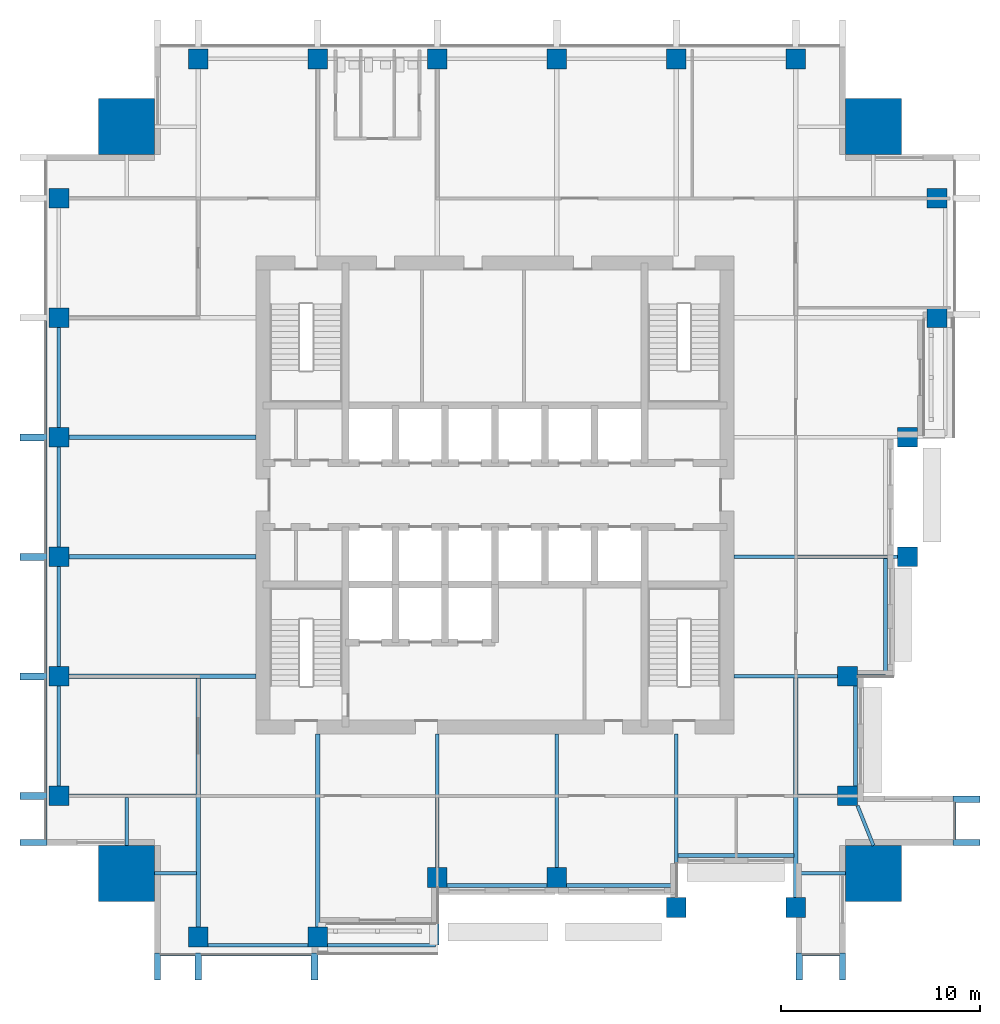
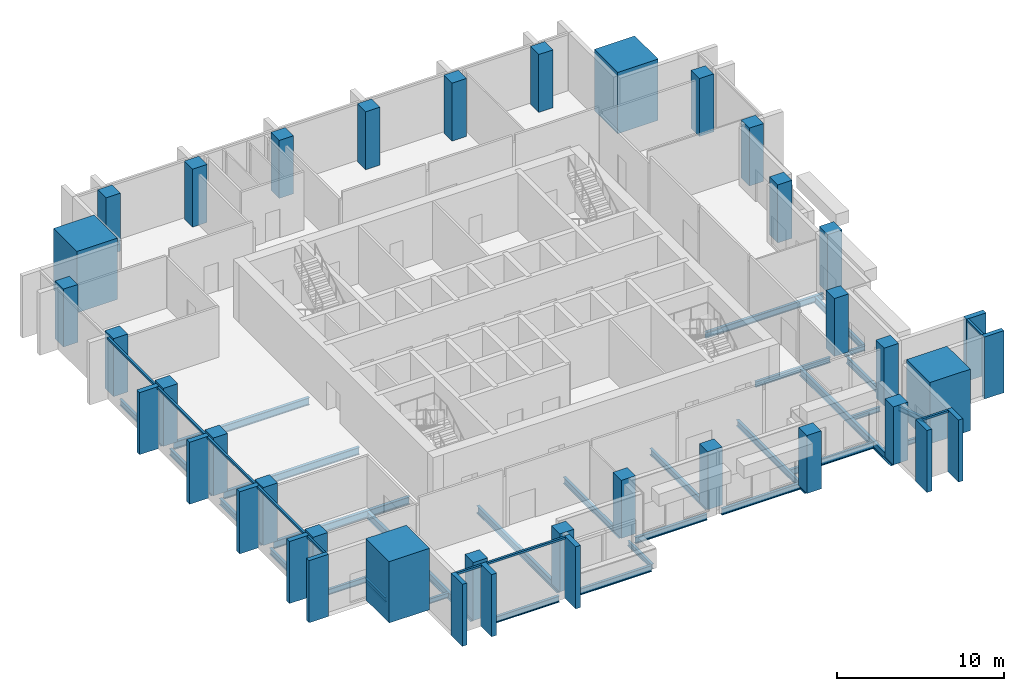
# One storey, part 1 of 11: 30 beams, 28 columns, 21 members, 4 elements without a shape of their own.
"""IFC4 building model written with IfcOpenShell, lengths in metres."""

from ifc_helpers import new_model, si_unit, direction, frame, origin, origin_2d, place, context, subcontext, project, spatial, rectangle, i_section, extrude, material, material_profile, profile_set, type_object, element, aggregate, save


model = new_model("IFC4")

# Units and contexts
model_context = context("Model", 3, precision=1e-05, world=origin(), true_north=direction((0.0, 1.0)))
body_context = subcontext(model_context, "Body", "Model", "MODEL_VIEW")
ifc_project = project(units=[si_unit("LENGTHUNIT", "METRE"), si_unit("AREAUNIT", "SQUARE_METRE"), si_unit("VOLUMEUNIT", "CUBIC_METRE"), si_unit("PLANEANGLEUNIT", "RADIAN"), si_unit("MASSUNIT", "GRAM", prefix="KILO")], contexts=[model_context])

# Site, building, storey
site_placement = place(None, origin())
site = spatial("IfcSite", under=ifc_project, at=site_placement, CompositionType="ELEMENT")
building_placement = place(site_placement, origin())
building = spatial("IfcBuilding", under=site, at=building_placement, Name="Amberfall Residences", CompositionType="ELEMENT")
storey_placement = place(building_placement, frame((0.0, 0.0, 150.39990234375)))
storey = spatial("IfcBuildingStorey", under=building, at=storey_placement, Name="L40", CompositionType="ELEMENT", Elevation=150.39990234375)

# Columns
ifc_material_1 = material(Name="Concrete C60", Category="concrete")
ifc_material_profile_1 = material_profile(ifc_material_1, rectangle(XDim=1.0, YDim=1.0, at=origin_2d()), Name="Column 1000 x 1000 C60")
ifc_profile_set_1 = profile_set([ifc_material_profile_1], Name="Concrete C60")
column_type_1 = type_object("IfcColumnType", Name="Column 1000 x 1000 C60", PredefinedType="COLUMN", material=ifc_profile_set_1)
for number, where, z_axis, x_axis, name in (
    (1, (59.60009765625, 23.300048828125, 0.0), (0.0, 0.0, 1.0), (1.0, 0.0, 0.0), "Column C3 L40 S1"),
    (2, (65.60009765625, 23.300048828125, 0.0), (0.0, 0.0, 1.0), (1.0, 0.0, 0.0), "Column C3 L40 S2"),
    (3, (71.60009765625, 26.300048828125, 0.0), (0.0, 0.0, 1.0), (1.0, 0.0, 0.0), "Column C3 L40 S3"),
    (4, (77.60009765625, 26.300048828125, 0.0), (0.0, 0.0, 1.0), (1.0, 0.0, 0.0), "Column C3 L40 S4"),
    (5, (83.60009765625, 24.800048828125, 0.0), (0.0, 0.0, 1.0), (1.0, 0.0, 0.0), "Column C3 L40 S5"),
    (6, (89.60009765625, 24.800048828125, 0.0), (0.0, 0.0, 1.0), (1.0, 0.0, 0.0), "Column C3 L40 S6"),
    (7, (92.199951171875, 30.39990234375, 0.0), (0.0, 0.0, 1.0), (1.0, 0.0, 0.0), "Column C3 L40 E1"),
    (8, (92.199951171875, 36.39990234375, 0.0), (0.0, 0.0, 1.0), (1.0, 0.0, 0.0), "Column C3 L40 E2"),
    (9, (95.199951171875, 42.39990234375, 0.0), (0.0, 0.0, 1.0), (1.0, 0.0, 0.0), "Column C3 L40 E3"),
    (10, (95.199951171875, 48.39990234375, 0.0), (0.0, 0.0, 1.0), (1.0, 0.0, 0.0), "Column C3 L40 E4"),
    (11, (96.699951171875, 54.39990234375, 0.0), (0.0, 0.0, 1.0), (1.0, 0.0, 0.0), "Column C3 L40 E5"),
    (12, (96.699951171875, 60.39990234375, 0.0), (0.0, 0.0, 1.0), (1.0, 0.0, 0.0), "Column C3 L40 E6"),
    (13, (59.60009765625, 67.39990234375, 0.0), (0.0, 0.0, 1.0), (1.0, 0.0, 0.0), "Column C3 L40 N1"),
    (14, (65.60009765625, 67.39990234375, 0.0), (0.0, 0.0, 1.0), (1.0, 0.0, 0.0), "Column C3 L40 N2"),
    (15, (71.60009765625, 67.39990234375, 0.0), (0.0, 0.0, 1.0), (1.0, 0.0, 0.0), "Column C3 L40 N3"),
    (16, (77.60009765625, 67.39990234375, 0.0), (0.0, 0.0, 1.0), (1.0, 0.0, 0.0), "Column C3 L40 N4"),
    (17, (83.60009765625, 67.39990234375, 0.0), (0.0, 0.0, 1.0), (1.0, 0.0, 0.0), "Column C3 L40 N5"),
    (18, (89.60009765625, 67.39990234375, 0.0), (0.0, 0.0, 1.0), (1.0, 0.0, 0.0), "Column C3 L40 N6"),
    (19, (52.60009765625, 30.39990234375, 0.0), (0.0, 0.0, 1.0), (1.0, 0.0, 0.0), "Column C3 L40 W1"),
    (20, (52.60009765625, 36.39990234375, 0.0), (0.0, 0.0, 1.0), (1.0, 0.0, 0.0), "Column C3 L40 W2"),
    (21, (52.60009765625, 42.39990234375, 0.0), (0.0, 0.0, 1.0), (1.0, 0.0, 0.0), "Column C3 L40 W3"),
    (22, (52.60009765625, 48.39990234375, 0.0), (0.0, 0.0, 1.0), (1.0, 0.0, 0.0), "Column C3 L40 W4"),
    (23, (52.60009765625, 54.39990234375, 0.0), (0.0, 0.0, 1.0), (1.0, 0.0, 0.0), "Column C3 L40 W5"),
    (24, (52.60009765625, 60.39990234375, 0.0), (0.0, 0.0, 1.0), (1.0, 0.0, 0.0), "Column C3 L40 W6"),
):
    element("IfcColumn", number, at=place(storey_placement, frame(where, z_axis=z_axis, x_axis=x_axis)), inside=storey, type_object=column_type_1, Name=name, PredefinedType="COLUMN", context=body_context, shape_type="SweptSolid", body=[
        extrude(rectangle(XDim=1.0, YDim=1.0, at=origin_2d()), origin(), (0.0, 0.0, 1.0), 4.25),
    ])
ifc_material_profile_2 = material_profile(ifc_material_1, rectangle(XDim=2.800048828125, YDim=2.800048828125, at=origin_2d()), Name="Mega column 2800 x 2800 C60")
ifc_profile_set_2 = profile_set([ifc_material_profile_2], Name="Concrete C60")
column_type_2 = type_object("IfcColumnType", Name="Mega column 2800 x 2800 C60", PredefinedType="COLUMN", material=ifc_profile_set_2)
for number, where, z_axis, x_axis, name in (
    (25, (56.0, 26.5, 0.0), (0.0, 0.0, 1.0), (1.0, 0.0, 0.0), "Mega column MC5 L40 SW"),
    (26, (93.5, 26.5, 0.0), (0.0, 0.0, 1.0), (1.0, 0.0, 0.0), "Mega column MC5 L40 SE"),
    (27, (93.5, 64.0, 0.0), (0.0, 0.0, 1.0), (1.0, 0.0, 0.0), "Mega column MC5 L40 NE"),
    (28, (56.0, 64.0, 0.0), (0.0, 0.0, 1.0), (1.0, 0.0, 0.0), "Mega column MC5 L40 NW"),
):
    element("IfcColumn", number, at=place(storey_placement, frame(where, z_axis=z_axis, x_axis=x_axis)), inside=storey, type_object=column_type_2, Name=name, PredefinedType="COLUMN", context=body_context, shape_type="SweptSolid", body=[
        extrude(rectangle(XDim=2.800048828125, YDim=2.800048828125, at=origin_2d()), origin(), (0.0, 0.0, 1.0), 4.5),
    ])

# Curtain wall, members
ifc_material_2 = material(Name="Bronze anodised aluminium and glass", Category="aluminium")
curtain_wall_type = type_object("IfcCurtainWallType", Name="Curtain wall CW1 tower unit", PredefinedType="USERDEFINED", material=ifc_material_2)
curtain_wall_1_placement = place(storey_placement, origin())
curtain_wall_1 = element("IfcCurtainWall", 29, at=curtain_wall_1_placement, inside=storey, type_object=curtain_wall_type, Name="Curtain wall L40 S S1", ObjectType="UNITISED CURTAIN WALL", PredefinedType="USERDEFINED")
ifc_material_3 = material(Name="Bronze anodised aluminium", Category="aluminium")
ifc_material_profile_3 = material_profile(ifc_material_3, rectangle(XDim=0.14990234375, YDim=0.14990234375, at=origin_2d()), Name="CW1 transom 150 x 150 bronze")
ifc_profile_set_3 = profile_set([ifc_material_profile_3], Name="Bronze anodised aluminium")
member_type_1 = type_object("IfcMemberType", Name="CW1 transom 150 x 150 bronze", PredefinedType="USERDEFINED", material=ifc_profile_set_3)
member_1_placement = place(storey_placement, frame((57.699951171875, 22.425048828125, 4.175048828125), z_axis=(1.0, 0.0, 0.0), x_axis=(0.0, 1.0, 0.0)))
member_1 = element("IfcMember", 30, at=member_1_placement, type_object=member_type_1, Name="CW1 transom 1.1", ObjectType="TRANSOM", PredefinedType="USERDEFINED", context=body_context, shape_type="SweptSolid", body=[
    extrude(rectangle(XDim=0.14990234375, YDim=0.14990234375, at=origin_2d()), origin(), (0.0, 0.0, 1.0), 1.72509765625),
])
member_2_placement = place(storey_placement, frame((59.77490234375, 22.425048828125, 4.175048828125), z_axis=(1.0, 0.0, 0.0), x_axis=(0.0, 1.0, 0.0)))
member_2 = element("IfcMember", 31, at=member_2_placement, type_object=member_type_1, Name="CW1 transom 2.1", ObjectType="TRANSOM", PredefinedType="USERDEFINED", context=body_context, shape_type="SweptSolid", body=[
    extrude(rectangle(XDim=0.14990234375, YDim=0.14990234375, at=origin_2d()), origin(), (0.0, 0.0, 1.0), 5.47509765625),
])

# Curtain wall, member
curtain_wall_2_placement = place(storey_placement, origin())
curtain_wall_2 = element("IfcCurtainWall", 32, at=curtain_wall_2_placement, inside=storey, type_object=curtain_wall_type, Name="Curtain wall L40 S S8", ObjectType="UNITISED CURTAIN WALL", PredefinedType="USERDEFINED")
member_3_placement = place(storey_placement, frame((89.949951171875, 22.425048828125, 4.175048828125), z_axis=(1.0, 0.0, 0.0), x_axis=(0.0, 1.0, 0.0)))
member_3 = element("IfcMember", 33, at=member_3_placement, type_object=member_type_1, Name="CW1 transom 1.1", ObjectType="TRANSOM", PredefinedType="USERDEFINED", context=body_context, shape_type="SweptSolid", body=[
    extrude(rectangle(XDim=0.14990234375, YDim=0.14990234375, at=origin_2d()), origin(), (0.0, 0.0, 1.0), 1.85009765625),
])

curtain_wall_3_placement = place(storey_placement, origin())
curtain_wall_3 = element("IfcCurtainWall", 34, at=curtain_wall_3_placement, inside=storey, type_object=curtain_wall_type, Name="Curtain wall L40 E E3", ObjectType="UNITISED CURTAIN WALL", PredefinedType="USERDEFINED")
member_4_placement = place(storey_placement, frame((97.574951171875, 28.199951171875, 4.175048828125), z_axis=(0.0, 1.0, 0.0), x_axis=(-1.0, 0.0, 0.0)))
member_4 = element("IfcMember", 35, at=member_4_placement, type_object=member_type_1, Name="CW1 transom 1.1", ObjectType="TRANSOM", PredefinedType="USERDEFINED", context=body_context, shape_type="SweptSolid", body=[
    extrude(rectangle(XDim=0.14990234375, YDim=0.14990234375, at=origin_2d()), origin(), (0.0, 0.0, 1.0), 1.85009765625),
])

# Curtain wall, members
curtain_wall_4_placement = place(storey_placement, origin())
curtain_wall_4 = element("IfcCurtainWall", 36, at=curtain_wall_4_placement, inside=storey, type_object=curtain_wall_type, Name="Curtain wall L40 W W1", ObjectType="UNITISED CURTAIN WALL", PredefinedType="USERDEFINED")
member_5_placement = place(storey_placement, frame((51.925048828125, 54.22509765625, 4.175048828125), z_axis=(0.0, -1.0, 0.0), x_axis=(1.0, 0.0, 0.0)))
member_5 = element("IfcMember", 37, at=member_5_placement, type_object=member_type_1, Name="CW1 transom 3.1", ObjectType="TRANSOM", PredefinedType="USERDEFINED", context=body_context, shape_type="SweptSolid", body=[
    extrude(rectangle(XDim=0.14990234375, YDim=0.14990234375, at=origin_2d()), origin(), (0.0, 0.0, 1.0), 5.650146484375),
])
member_6_placement = place(storey_placement, frame((51.925048828125, 48.22509765625, 4.175048828125), z_axis=(0.0, -1.0, 0.0), x_axis=(1.0, 0.0, 0.0)))
member_6 = element("IfcMember", 38, at=member_6_placement, type_object=member_type_1, Name="CW1 transom 4.1", ObjectType="TRANSOM", PredefinedType="USERDEFINED", context=body_context, shape_type="SweptSolid", body=[
    extrude(rectangle(XDim=0.14990234375, YDim=0.14990234375, at=origin_2d()), origin(), (0.0, 0.0, 1.0), 5.650146484375),
])
member_7_placement = place(storey_placement, frame((51.925048828125, 42.22509765625, 4.175048828125), z_axis=(0.0, -1.0, 0.0), x_axis=(1.0, 0.0, 0.0)))
member_7 = element("IfcMember", 39, at=member_7_placement, type_object=member_type_1, Name="CW1 transom 5.1", ObjectType="TRANSOM", PredefinedType="USERDEFINED", context=body_context, shape_type="SweptSolid", body=[
    extrude(rectangle(XDim=0.14990234375, YDim=0.14990234375, at=origin_2d()), origin(), (0.0, 0.0, 1.0), 5.650146484375),
])
member_8_placement = place(storey_placement, frame((51.925048828125, 36.22509765625, 4.175048828125), z_axis=(0.0, -1.0, 0.0), x_axis=(1.0, 0.0, 0.0)))
member_8 = element("IfcMember", 40, at=member_8_placement, type_object=member_type_1, Name="CW1 transom 6.1", ObjectType="TRANSOM", PredefinedType="USERDEFINED", context=body_context, shape_type="SweptSolid", body=[
    extrude(rectangle(XDim=0.14990234375, YDim=0.14990234375, at=origin_2d()), origin(), (0.0, 0.0, 1.0), 5.650146484375),
])
member_9_placement = place(storey_placement, frame((51.925048828125, 30.22509765625, 4.175048828125), z_axis=(0.0, -1.0, 0.0), x_axis=(1.0, 0.0, 0.0)))
member_9 = element("IfcMember", 41, at=member_9_placement, type_object=member_type_1, Name="CW1 transom 7.1", ObjectType="TRANSOM", PredefinedType="USERDEFINED", context=body_context, shape_type="SweptSolid", body=[
    extrude(rectangle(XDim=0.14990234375, YDim=0.14990234375, at=origin_2d()), origin(), (0.0, 0.0, 1.0), 2.025146484375),
])

# Beams
ifc_material_4 = material(Name="Steel S355", Category="steel")
ifc_material_profile_4 = material_profile(ifc_material_4, i_section(OverallWidth=0.171142578125, OverallDepth=0.351318359375, WebThickness=0.007080078125, FlangeThickness=0.009765625, FilletRadius=0.01025390625, at=origin_2d()), Name="UB 356x171x45")
ifc_profile_set_4 = profile_set([ifc_material_profile_4], Name="Steel S355")
beam_type_1 = type_object("IfcBeamType", Name="Cantilever girder UB 356x171x45", PredefinedType="BEAM", material=ifc_profile_set_4)
beam_1_placement = place(storey_placement, frame((71.60009765625, 25.800048828125, -0.4755859375), z_axis=(0.0, -1.0, 0.0), x_axis=(1.0, 0.0, 0.0)))
element("IfcBeam", 42, at=beam_1_placement, inside=storey, type_object=beam_type_1, Name="Cantilever girder B8 L40 06", PredefinedType="BEAM", context=body_context, shape_type="SweptSolid", body=[
    extrude(i_section(OverallWidth=0.171142578125, OverallDepth=0.351318359375, WebThickness=0.007080078125, FlangeThickness=0.009765625, FilletRadius=0.01025390625, at=origin_2d()), origin(), (0.0, 0.0, 1.0), 2.900146484375),
])
beam_2_placement = place(storey_placement, frame((92.699951171875, 36.39990234375, -0.4755859375), z_axis=(1.0, 0.0, 0.0), x_axis=(0.0, 1.0, 0.0)))
element("IfcBeam", 43, at=beam_2_placement, inside=storey, type_object=beam_type_1, Name="Cantilever girder B8 L40 18", PredefinedType="BEAM", context=body_context, shape_type="SweptSolid", body=[
    extrude(i_section(OverallWidth=0.171142578125, OverallDepth=0.351318359375, WebThickness=0.007080078125, FlangeThickness=0.009765625, FilletRadius=0.01025390625, at=origin_2d()), origin(), (0.0, 0.0, 1.0), 1.400146484375),
])

# Member
ifc_material_profile_5 = material_profile(ifc_material_3, rectangle(XDim=1.35009765625, YDim=0.300048828125, at=origin_2d()), Name="Corner fin 300 x 1350 bronze")
ifc_profile_set_5 = profile_set([ifc_material_profile_5], Name="Bronze anodised aluminium")
member_type_2 = type_object("IfcMemberType", Name="Corner fin 300 x 1350 bronze", PredefinedType="MULLION", material=ifc_profile_set_5)
member_10_placement = place(storey_placement, frame((57.550048828125, 21.824951171875, -0.2998046875), z_axis=(0.0, 0.0, 1.0), x_axis=(0.0, 1.0, 0.0)))
member_10 = element("IfcMember", 44, at=member_10_placement, type_object=member_type_2, Name="CW FIN 1", PredefinedType="MULLION", context=body_context, shape_type="SweptSolid", body=[
    extrude(rectangle(XDim=1.35009765625, YDim=0.300048828125, at=origin_2d()), origin(), (0.0, 0.0, 1.0), 4.5498046875),
])

member_11_placement = place(storey_placement, frame((91.949951171875, 21.824951171875, -0.2998046875), z_axis=(0.0, 0.0, 1.0), x_axis=(0.0, 1.0, 0.0)))
member_11 = element("IfcMember", 45, at=member_11_placement, type_object=member_type_2, Name="CW FIN 2", PredefinedType="MULLION", context=body_context, shape_type="SweptSolid", body=[
    extrude(rectangle(XDim=1.35009765625, YDim=0.300048828125, at=origin_2d()), origin(), (0.0, 0.0, 1.0), 4.5498046875),
])

member_12_placement = place(storey_placement, frame((98.175048828125, 28.050048828125, -0.2998046875), z_axis=(0.0, 0.0, 1.0), x_axis=(-1.0, 0.0, 0.0)))
member_12 = element("IfcMember", 46, at=member_12_placement, type_object=member_type_2, Name="CW FIN 1", PredefinedType="MULLION", context=body_context, shape_type="SweptSolid", body=[
    extrude(rectangle(XDim=1.35009765625, YDim=0.300048828125, at=origin_2d()), origin(), (0.0, 0.0, 1.0), 4.5498046875),
])

member_13_placement = place(storey_placement, frame((51.324951171875, 28.050048828125, -0.2998046875), z_axis=(0.0, 0.0, 1.0), x_axis=(1.0, 0.0, 0.0)))
member_13 = element("IfcMember", 47, at=member_13_placement, type_object=member_type_2, Name="CW FIN 8", PredefinedType="MULLION", context=body_context, shape_type="SweptSolid", body=[
    extrude(rectangle(XDim=1.35009765625, YDim=0.300048828125, at=origin_2d()), origin(), (0.0, 0.0, 1.0), 4.5498046875),
])

# Beams
ifc_material_profile_6 = material_profile(ifc_material_4, i_section(OverallWidth=0.18994140625, OverallDepth=0.453369140625, WebThickness=0.008544921875, FlangeThickness=0.0126953125, FilletRadius=0.01025390625, at=origin_2d()), Name="UB 457x191x67")
ifc_profile_set_6 = profile_set([ifc_material_profile_6], Name="Steel S355")
beam_type_2 = type_object("IfcBeamType", Name="Edge beam UB 457x191x67", PredefinedType="SPANDREL", material=ifc_profile_set_6)
beam_3_placement = place(storey_placement, frame((60.10009765625, 22.89990234375, -0.526611328125), z_axis=(1.0, 0.0, 0.0), x_axis=(0.0, 1.0, 0.0)))
element("IfcBeam", 48, at=beam_3_placement, inside=storey, type_object=beam_type_2, Name="Edge beam B1 L40 01", PredefinedType="SPANDREL", context=body_context, shape_type="SweptSolid", body=[
    extrude(i_section(OverallWidth=0.18994140625, OverallDepth=0.453369140625, WebThickness=0.008544921875, FlangeThickness=0.0126953125, FilletRadius=0.01025390625, at=origin_2d()), origin(), (0.0, 0.0, 1.0), 5.0),
])
beam_4_placement = place(storey_placement, frame((66.10009765625, 22.89990234375, -0.526611328125), z_axis=(1.0, 0.0, 0.0), x_axis=(0.0, 1.0, 0.0)))
element("IfcBeam", 49, at=beam_4_placement, inside=storey, type_object=beam_type_2, Name="Edge beam B1 L40 02", PredefinedType="SPANDREL", context=body_context, shape_type="SweptSolid", body=[
    extrude(i_section(OverallWidth=0.18994140625, OverallDepth=0.453369140625, WebThickness=0.008544921875, FlangeThickness=0.0126953125, FilletRadius=0.01025390625, at=origin_2d()), origin(), (0.0, 0.0, 1.0), 5.419921875),
])
beam_5_placement = place(storey_placement, frame((72.10009765625, 25.89990234375, -0.526611328125), z_axis=(1.0, 0.0, 0.0), x_axis=(0.0, 1.0, 0.0)))
element("IfcBeam", 50, at=beam_5_placement, inside=storey, type_object=beam_type_2, Name="Edge beam B1 L40 03", PredefinedType="SPANDREL", context=body_context, shape_type="SweptSolid", body=[
    extrude(i_section(OverallWidth=0.18994140625, OverallDepth=0.453369140625, WebThickness=0.008544921875, FlangeThickness=0.0126953125, FilletRadius=0.01025390625, at=origin_2d()), origin(), (0.0, 0.0, 1.0), 5.0),
])
beam_6_placement = place(storey_placement, frame((78.10009765625, 25.89990234375, -0.526611328125), z_axis=(1.0, 0.0, 0.0), x_axis=(0.0, 1.0, 0.0)))
element("IfcBeam", 51, at=beam_6_placement, inside=storey, type_object=beam_type_2, Name="Edge beam B1 L40 04", PredefinedType="SPANDREL", context=body_context, shape_type="SweptSolid", body=[
    extrude(i_section(OverallWidth=0.18994140625, OverallDepth=0.453369140625, WebThickness=0.008544921875, FlangeThickness=0.0126953125, FilletRadius=0.01025390625, at=origin_2d()), origin(), (0.0, 0.0, 1.0), 5.419921875),
])
beam_7_placement = place(storey_placement, frame((83.679931640625, 27.39990234375, -0.526611328125), z_axis=(1.0, 0.0, 0.0), x_axis=(0.0, 1.0, 0.0)))
element("IfcBeam", 52, at=beam_7_placement, inside=storey, type_object=beam_type_2, Name="Edge beam B1 L40 05", PredefinedType="SPANDREL", context=body_context, shape_type="SweptSolid", body=[
    extrude(i_section(OverallWidth=0.18994140625, OverallDepth=0.453369140625, WebThickness=0.008544921875, FlangeThickness=0.0126953125, FilletRadius=0.01025390625, at=origin_2d()), origin(), (0.0, 0.0, 1.0), 5.840087890625),
])
beam_8_placement = place(storey_placement, frame((92.60009765625, 30.89990234375, -0.526611328125), z_axis=(0.0, 1.0, 0.0), x_axis=(-1.0, 0.0, 0.0)))
element("IfcBeam", 53, at=beam_8_placement, inside=storey, type_object=beam_type_2, Name="Edge beam B1 L40 13", PredefinedType="SPANDREL", context=body_context, shape_type="SweptSolid", body=[
    extrude(i_section(OverallWidth=0.18994140625, OverallDepth=0.453369140625, WebThickness=0.008544921875, FlangeThickness=0.0126953125, FilletRadius=0.01025390625, at=origin_2d()), origin(), (0.0, 0.0, 1.0), 5.0),
])
beam_9_placement = place(storey_placement, frame((94.10009765625, 36.47998046875, -0.526611328125), z_axis=(0.0, 1.0, 0.0), x_axis=(-1.0, 0.0, 0.0)))
element("IfcBeam", 54, at=beam_9_placement, inside=storey, type_object=beam_type_2, Name="Edge beam B1 L40 14", PredefinedType="SPANDREL", context=body_context, shape_type="SweptSolid", body=[
    extrude(i_section(OverallWidth=0.18994140625, OverallDepth=0.453369140625, WebThickness=0.008544921875, FlangeThickness=0.0126953125, FilletRadius=0.01025390625, at=origin_2d()), origin(), (0.0, 0.0, 1.0), 5.840087890625),
])
for number, where, z_axis, x_axis, name in (
    (55, (52.60009765625, 30.89990234375, -0.526611328125), (0.0, 1.0, 0.0), (-1.0, 0.0, 0.0), "Edge beam B1 L40 37"),
    (56, (52.60009765625, 36.89990234375, -0.526611328125), (0.0, 1.0, 0.0), (-1.0, 0.0, 0.0), "Edge beam B1 L40 38"),
    (57, (52.60009765625, 42.89990234375, -0.526611328125), (0.0, 1.0, 0.0), (-1.0, 0.0, 0.0), "Edge beam B1 L40 39"),
    (58, (52.60009765625, 48.89990234375, -0.526611328125), (0.0, 1.0, 0.0), (-1.0, 0.0, 0.0), "Edge beam B1 L40 40"),
):
    element("IfcBeam", number, at=place(storey_placement, frame(where, z_axis=z_axis, x_axis=x_axis)), inside=storey, type_object=beam_type_2, Name=name, PredefinedType="SPANDREL", context=body_context, shape_type="SweptSolid", body=[
        extrude(i_section(OverallWidth=0.18994140625, OverallDepth=0.453369140625, WebThickness=0.008544921875, FlangeThickness=0.0126953125, FilletRadius=0.01025390625, at=origin_2d()), origin(), (0.0, 0.0, 1.0), 5.0),
    ])

# Member
ifc_material_profile_7 = material_profile(ifc_material_3, rectangle(XDim=1.35009765625, YDim=0.35009765625, at=origin_2d()), Name="Fin 350 x 1350 bronze")
ifc_profile_set_7 = profile_set([ifc_material_profile_7], Name="Bronze anodised aluminium")
member_type_3 = type_object("IfcMemberType", Name="Fin 350 x 1350 bronze", PredefinedType="MULLION", material=ifc_profile_set_7)
member_14_placement = place(storey_placement, frame((59.60009765625, 21.824951171875, -0.2998046875), z_axis=(0.0, 0.0, 1.0), x_axis=(0.0, 1.0, 0.0)))
member_14 = element("IfcMember", 59, at=member_14_placement, type_object=member_type_3, Name="CW FIN 2", PredefinedType="MULLION", context=body_context, shape_type="SweptSolid", body=[
    extrude(rectangle(XDim=1.35009765625, YDim=0.35009765625, at=origin_2d()), origin(), (0.0, 0.0, 1.0), 4.5498046875),
])

member_15_placement = place(storey_placement, frame((65.425048828125, 21.824951171875, -0.2998046875), z_axis=(0.0, 0.0, 1.0), x_axis=(0.0, 1.0, 0.0)))
member_15 = element("IfcMember", 60, at=member_15_placement, type_object=member_type_3, Name="CW FIN 3", PredefinedType="MULLION", context=body_context, shape_type="SweptSolid", body=[
    extrude(rectangle(XDim=1.35009765625, YDim=0.35009765625, at=origin_2d()), origin(), (0.0, 0.0, 1.0), 4.5498046875),
])

aggregate(curtain_wall_1, [member_10, member_14, member_15, member_1, member_2])

member_16_placement = place(storey_placement, frame((89.77490234375, 21.824951171875, -0.2998046875), z_axis=(0.0, 0.0, 1.0), x_axis=(0.0, 1.0, 0.0)))
member_16 = element("IfcMember", 61, at=member_16_placement, type_object=member_type_3, Name="CW FIN 1", PredefinedType="MULLION", context=body_context, shape_type="SweptSolid", body=[
    extrude(rectangle(XDim=1.35009765625, YDim=0.35009765625, at=origin_2d()), origin(), (0.0, 0.0, 1.0), 4.5498046875),
])

aggregate(curtain_wall_2, [member_16, member_11, member_3])

member_17_placement = place(storey_placement, frame((98.175048828125, 30.22509765625, -0.2998046875), z_axis=(0.0, 0.0, 1.0), x_axis=(-1.0, 0.0, 0.0)))
member_17 = element("IfcMember", 62, at=member_17_placement, type_object=member_type_3, Name="CW FIN 2", PredefinedType="MULLION", context=body_context, shape_type="SweptSolid", body=[
    extrude(rectangle(XDim=1.35009765625, YDim=0.35009765625, at=origin_2d()), origin(), (0.0, 0.0, 1.0), 4.5498046875),
])

aggregate(curtain_wall_3, [member_12, member_17, member_4])

member_18_placement = place(storey_placement, frame((51.324951171875, 48.39990234375, -0.2998046875), z_axis=(0.0, 0.0, 1.0), x_axis=(1.0, 0.0, 0.0)))
member_18 = element("IfcMember", 63, at=member_18_placement, type_object=member_type_3, Name="CW FIN 4", PredefinedType="MULLION", context=body_context, shape_type="SweptSolid", body=[
    extrude(rectangle(XDim=1.35009765625, YDim=0.35009765625, at=origin_2d()), origin(), (0.0, 0.0, 1.0), 4.5498046875),
])

member_19_placement = place(storey_placement, frame((51.324951171875, 42.39990234375, -0.2998046875), z_axis=(0.0, 0.0, 1.0), x_axis=(1.0, 0.0, 0.0)))
member_19 = element("IfcMember", 64, at=member_19_placement, type_object=member_type_3, Name="CW FIN 5", PredefinedType="MULLION", context=body_context, shape_type="SweptSolid", body=[
    extrude(rectangle(XDim=1.35009765625, YDim=0.35009765625, at=origin_2d()), origin(), (0.0, 0.0, 1.0), 4.5498046875),
])

member_20_placement = place(storey_placement, frame((51.324951171875, 36.39990234375, -0.2998046875), z_axis=(0.0, 0.0, 1.0), x_axis=(1.0, 0.0, 0.0)))
member_20 = element("IfcMember", 65, at=member_20_placement, type_object=member_type_3, Name="CW FIN 6", PredefinedType="MULLION", context=body_context, shape_type="SweptSolid", body=[
    extrude(rectangle(XDim=1.35009765625, YDim=0.35009765625, at=origin_2d()), origin(), (0.0, 0.0, 1.0), 4.5498046875),
])

member_21_placement = place(storey_placement, frame((51.324951171875, 30.39990234375, -0.2998046875), z_axis=(0.0, 0.0, 1.0), x_axis=(1.0, 0.0, 0.0)))
member_21 = element("IfcMember", 66, at=member_21_placement, type_object=member_type_3, Name="CW FIN 7", PredefinedType="MULLION", context=body_context, shape_type="SweptSolid", body=[
    extrude(rectangle(XDim=1.35009765625, YDim=0.35009765625, at=origin_2d()), origin(), (0.0, 0.0, 1.0), 4.5498046875),
])

aggregate(curtain_wall_4, [member_18, member_19, member_20, member_21, member_13, member_5, member_6, member_7, member_8, member_9])

# Beams
ifc_material_profile_8 = material_profile(ifc_material_4, i_section(OverallWidth=0.171142578125, OverallDepth=0.351318359375, WebThickness=0.007080078125, FlangeThickness=0.009765625, FilletRadius=0.01025390625, at=origin_2d()), Name="UB 356x171x45")
ifc_profile_set_8 = profile_set([ifc_material_profile_8], Name="Steel S355")
beam_type_3 = type_object("IfcBeamType", Name="Floor girder UB 356x171x45", PredefinedType="BEAM", material=ifc_profile_set_8)
beam_10_placement = place(storey_placement, frame((91.699951171875, 30.39990234375, -0.4755859375), z_axis=(-1.0, 0.0, 0.0), x_axis=(0.0, -1.0, 0.0)))
element("IfcBeam", 67, at=beam_10_placement, inside=storey, type_object=beam_type_3, Name="Floor girder B11 L40 20", PredefinedType="BEAM", context=body_context, shape_type="SweptSolid", body=[
    extrude(i_section(OverallWidth=0.171142578125, OverallDepth=0.351318359375, WebThickness=0.007080078125, FlangeThickness=0.009765625, FilletRadius=0.01025390625, at=origin_2d()), origin(), (0.0, 0.0, 1.0), 1.97998046875),
])
ifc_material_profile_9 = material_profile(ifc_material_4, i_section(OverallWidth=0.177734375, OverallDepth=0.402587890625, WebThickness=0.0078125, FlangeThickness=0.010986328125, FilletRadius=0.01025390625, at=origin_2d()), Name="UB 406x178x54")
ifc_profile_set_9 = profile_set([ifc_material_profile_9], Name="Steel S355")
beam_type_4 = type_object("IfcBeamType", Name="Floor girder UB 406x178x54", PredefinedType="BEAM", material=ifc_profile_set_9)
beam_11_placement = place(storey_placement, frame((91.699951171875, 36.39990234375, -0.501220703125), z_axis=(-1.0, 0.0, 0.0), x_axis=(0.0, -1.0, 0.0)))
element("IfcBeam", 68, at=beam_11_placement, inside=storey, type_object=beam_type_4, Name="Floor girder B4 L40 21", PredefinedType="BEAM", context=body_context, shape_type="SweptSolid", body=[
    extrude(i_section(OverallWidth=0.177734375, OverallDepth=0.402587890625, WebThickness=0.0078125, FlangeThickness=0.010986328125, FilletRadius=0.01025390625, at=origin_2d()), origin(), (0.0, 0.0, 1.0), 5.199951171875),
])
beam_12_placement = place(storey_placement, frame((53.10009765625, 30.39990234375, -0.501220703125), z_axis=(1.0, 0.0, 0.0), x_axis=(0.0, 1.0, 0.0)))
element("IfcBeam", 69, at=beam_12_placement, inside=storey, type_object=beam_type_4, Name="Floor girder B4 L40 42", PredefinedType="BEAM", context=body_context, shape_type="SweptSolid", body=[
    extrude(i_section(OverallWidth=0.177734375, OverallDepth=0.402587890625, WebThickness=0.0078125, FlangeThickness=0.010986328125, FilletRadius=0.01025390625, at=origin_2d()), origin(), (0.0, 0.0, 1.0), 6.3798828125),
])
ifc_material_profile_10 = material_profile(ifc_material_4, i_section(OverallWidth=0.19140625, OverallDepth=0.4599609375, WebThickness=0.010009765625, FlangeThickness=0.01611328125, FilletRadius=0.01025390625, at=origin_2d()), Name="UB 457x191x82")
ifc_profile_set_10 = profile_set([ifc_material_profile_10], Name="Steel S355")
beam_type_5 = type_object("IfcBeamType", Name="Floor girder UB 457x191x82", PredefinedType="BEAM", material=ifc_profile_set_10)
for number, where, z_axis, x_axis, name in (
    (70, (71.60009765625, 26.800048828125, -0.52978515625), (0.0, 1.0, 0.0), (-1.0, 0.0, 0.0), "Floor girder B10 L40 09"),
    (71, (77.60009765625, 26.800048828125, -0.52978515625), (0.0, 1.0, 0.0), (-1.0, 0.0, 0.0), "Floor girder B10 L40 10"),
):
    element("IfcBeam", number, at=place(storey_placement, frame(where, z_axis=z_axis, x_axis=x_axis)), inside=storey, type_object=beam_type_5, Name=name, PredefinedType="BEAM", context=body_context, shape_type="SweptSolid", body=[
        extrude(i_section(OverallWidth=0.19140625, OverallDepth=0.4599609375, WebThickness=0.010009765625, FlangeThickness=0.01611328125, FilletRadius=0.01025390625, at=origin_2d()), origin(), (0.0, 0.0, 1.0), 6.699951171875),
    ])
for number, where, z_axis, x_axis, name in (
    (72, (83.60009765625, 25.300048828125, -0.52978515625), (0.0, 1.0, 0.0), (-1.0, 0.0, 0.0), "Floor girder B10 L40 11"),
    (73, (94.699951171875, 42.39990234375, -0.52978515625), (-1.0, 0.0, 0.0), (0.0, -1.0, 0.0), "Floor girder B10 L40 22"),
):
    element("IfcBeam", number, at=place(storey_placement, frame(where, z_axis=z_axis, x_axis=x_axis)), inside=storey, type_object=beam_type_5, Name=name, PredefinedType="BEAM", context=body_context, shape_type="SweptSolid", body=[
        extrude(i_section(OverallWidth=0.19140625, OverallDepth=0.4599609375, WebThickness=0.010009765625, FlangeThickness=0.01611328125, FilletRadius=0.01025390625, at=origin_2d()), origin(), (0.0, 0.0, 1.0), 8.199951171875),
    ])
ifc_material_profile_11 = material_profile(ifc_material_4, i_section(OverallWidth=0.210693359375, OverallDepth=0.53955078125, WebThickness=0.01171875, FlangeThickness=0.018798828125, FilletRadius=0.0126953125, at=origin_2d()), Name="UB 533x210x109")
ifc_profile_set_11 = profile_set([ifc_material_profile_11], Name="Steel S355")
beam_type_6 = type_object("IfcBeamType", Name="Floor girder UB 533x210x109", PredefinedType="BEAM", material=ifc_profile_set_11)
beam_13_placement = place(storey_placement, frame((59.60009765625, 23.800048828125, -0.569580078125), z_axis=(0.0, 1.0, 0.0), x_axis=(-1.0, 0.0, 0.0)))
element("IfcBeam", 74, at=beam_13_placement, inside=storey, type_object=beam_type_6, Name="Floor girder B2 L40 07", PredefinedType="BEAM", context=body_context, shape_type="SweptSolid", body=[
    extrude(i_section(OverallWidth=0.210693359375, OverallDepth=0.53955078125, WebThickness=0.01171875, FlangeThickness=0.018798828125, FilletRadius=0.0126953125, at=origin_2d()), origin(), (0.0, 0.0, 1.0), 12.500244140625),
])
beam_14_placement = place(storey_placement, frame((89.60009765625, 25.300048828125, -0.569580078125), z_axis=(0.0, 1.0, 0.0), x_axis=(-1.0, 0.0, 0.0)))
element("IfcBeam", 75, at=beam_14_placement, inside=storey, type_object=beam_type_6, Name="Floor girder B2 L40 12", PredefinedType="BEAM", context=body_context, shape_type="SweptSolid", body=[
    extrude(i_section(OverallWidth=0.210693359375, OverallDepth=0.53955078125, WebThickness=0.01171875, FlangeThickness=0.018798828125, FilletRadius=0.0126953125, at=origin_2d()), origin(), (0.0, 0.0, 1.0), 11.01611328125),
])
ifc_material_profile_12 = material_profile(ifc_material_4, i_section(OverallWidth=0.209228515625, OverallDepth=0.533203125, WebThickness=0.010009765625, FlangeThickness=0.015625, FilletRadius=0.0126953125, at=origin_2d()), Name="UB 533x210x92")
ifc_profile_set_12 = profile_set([ifc_material_profile_12], Name="Steel S355")
beam_type_7 = type_object("IfcBeamType", Name="Floor girder UB 533x210x92", PredefinedType="BEAM", material=ifc_profile_set_12)
beam_15_placement = place(storey_placement, frame((65.60009765625, 23.800048828125, -0.56640625), z_axis=(0.0, 1.0, 0.0), x_axis=(-1.0, 0.0, 0.0)))
element("IfcBeam", 76, at=beam_15_placement, inside=storey, type_object=beam_type_7, Name="Floor girder B3 L40 08", PredefinedType="BEAM", context=body_context, shape_type="SweptSolid", body=[
    extrude(i_section(OverallWidth=0.209228515625, OverallDepth=0.533203125, WebThickness=0.010009765625, FlangeThickness=0.015625, FilletRadius=0.0126953125, at=origin_2d()), origin(), (0.0, 0.0, 1.0), 9.699951171875),
])
for number, where, z_axis, x_axis, name in (
    (77, (53.10009765625, 36.39990234375, -0.56640625), (1.0, 0.0, 0.0), (0.0, 1.0, 0.0), "Floor girder B3 L40 43"),
    (78, (53.10009765625, 42.39990234375, -0.56640625), (1.0, 0.0, 0.0), (0.0, 1.0, 0.0), "Floor girder B3 L40 44"),
    (79, (53.10009765625, 48.39990234375, -0.56640625), (1.0, 0.0, 0.0), (0.0, 1.0, 0.0), "Floor girder B3 L40 45"),
):
    element("IfcBeam", number, at=place(storey_placement, frame(where, z_axis=z_axis, x_axis=x_axis)), inside=storey, type_object=beam_type_7, Name=name, PredefinedType="BEAM", context=body_context, shape_type="SweptSolid", body=[
        extrude(i_section(OverallWidth=0.209228515625, OverallDepth=0.533203125, WebThickness=0.010009765625, FlangeThickness=0.015625, FilletRadius=0.0126953125, at=origin_2d()), origin(), (0.0, 0.0, 1.0), 9.39990234375),
    ])
ifc_material_profile_13 = material_profile(ifc_material_4, i_section(OverallWidth=0.171142578125, OverallDepth=0.351318359375, WebThickness=0.007080078125, FlangeThickness=0.009765625, FilletRadius=0.01025390625, at=origin_2d()), Name="UB 356x171x45")
ifc_profile_set_13 = profile_set([ifc_material_profile_13], Name="Steel S355")
beam_type_8 = type_object("IfcBeamType", Name="Link beam UB 356x171x45", PredefinedType="BEAM", material=ifc_profile_set_13)
beam_16_placement = place(storey_placement, frame((57.39990234375, 26.5, -0.4755859375), z_axis=(1.0, 0.0, 0.0), x_axis=(0.0, 1.0, 0.0)))
element("IfcBeam", 80, at=beam_16_placement, inside=storey, type_object=beam_type_8, Name="Link beam B7 L40 48", PredefinedType="BEAM", context=body_context, shape_type="SweptSolid", body=[
    extrude(i_section(OverallWidth=0.171142578125, OverallDepth=0.351318359375, WebThickness=0.007080078125, FlangeThickness=0.009765625, FilletRadius=0.01025390625, at=origin_2d()), origin(), (0.0, 0.0, 1.0), 2.104736328125),
])
beam_17_placement = place(storey_placement, frame((56.0, 27.89990234375, -0.4755859375), z_axis=(0.0, 1.0, 0.0), x_axis=(-1.0, 0.0, 0.0)))
element("IfcBeam", 81, at=beam_17_placement, inside=storey, type_object=beam_type_8, Name="Link beam B7 L40 49", PredefinedType="BEAM", context=body_context, shape_type="SweptSolid", body=[
    extrude(i_section(OverallWidth=0.171142578125, OverallDepth=0.351318359375, WebThickness=0.007080078125, FlangeThickness=0.009765625, FilletRadius=0.01025390625, at=origin_2d()), origin(), (0.0, 0.0, 1.0), 2.42138671875),
])
beam_18_placement = place(storey_placement, frame((92.10009765625, 26.5, -0.4755859375), z_axis=(-1.0, 0.0, 0.0), x_axis=(0.0, -1.0, 0.0)))
element("IfcBeam", 82, at=beam_18_placement, inside=storey, type_object=beam_type_8, Name="Link beam B7 L40 50", PredefinedType="BEAM", context=body_context, shape_type="SweptSolid", body=[
    extrude(i_section(OverallWidth=0.171142578125, OverallDepth=0.351318359375, WebThickness=0.007080078125, FlangeThickness=0.009765625, FilletRadius=0.01025390625, at=origin_2d()), origin(), (0.0, 0.0, 1.0), 2.405517578125),
])
beam_19_placement = place(storey_placement, frame((93.5, 27.89990234375, -0.4755859375), z_axis=(-0.37141021739, 0.928468874232, 0.0), x_axis=(-0.928468874232, -0.37141021739, 0.0)))
element("IfcBeam", 83, at=beam_19_placement, inside=storey, type_object=beam_type_8, Name="Link beam B7 L40 51", PredefinedType="BEAM", context=body_context, shape_type="SweptSolid", body=[
    extrude(i_section(OverallWidth=0.171142578125, OverallDepth=0.351318359375, WebThickness=0.007080078125, FlangeThickness=0.009765625, FilletRadius=0.01025390625, at=origin_2d()), origin(), (0.0, 0.0, 1.0), 2.154052734375),
])

save(model, "model.ifc")
